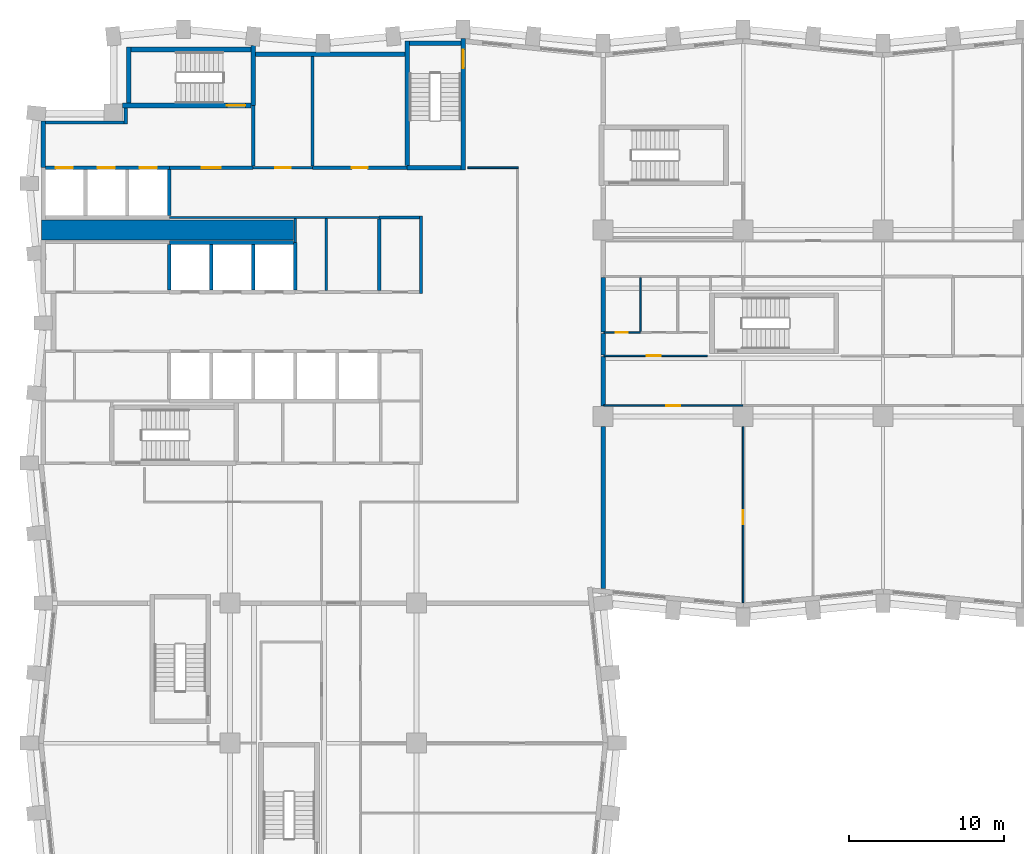
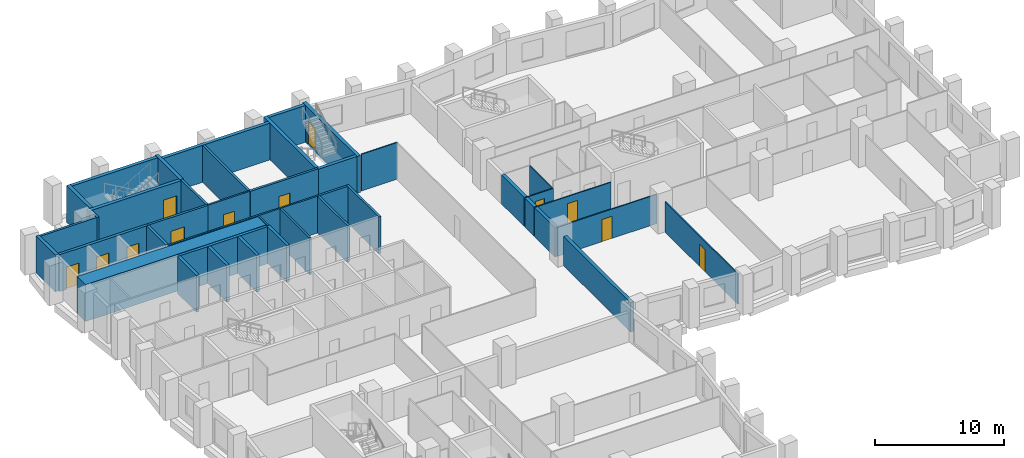
# One storey, part 6 of 11: 41 walls, 12 doors, 12 openings.
"""IFC4 building model written with IfcOpenShell, lengths in metres."""

from ifc_helpers import new_model, si_unit, direction, frame, frame_2d, origin, place, context, subcontext, project, spatial, rectangle, extrude, material, layer, layer_set, type_object, element, fill, save


model = new_model("IFC4")

# Units and contexts
model_context = context("Model", 3, precision=1e-05, world=origin(), true_north=direction((0.0, 1.0)))
body_context = subcontext(model_context, "Body", "Model", "MODEL_VIEW")
ifc_project = project(units=[si_unit("LENGTHUNIT", "METRE"), si_unit("AREAUNIT", "SQUARE_METRE"), si_unit("VOLUMEUNIT", "CUBIC_METRE"), si_unit("PLANEANGLEUNIT", "RADIAN"), si_unit("MASSUNIT", "GRAM", prefix="KILO")], contexts=[model_context])

# Site, building, storey
site_placement = place(None, origin())
site = spatial("IfcSite", under=ifc_project, at=site_placement, CompositionType="ELEMENT")
building_placement = place(site_placement, origin())
building = spatial("IfcBuilding", under=site, at=building_placement, Name="Brondeck Convention Tower", CompositionType="ELEMENT")
storey_placement = place(building_placement, frame((0.0, 0.0, 96.10009765625)))
storey = spatial("IfcBuildingStorey", under=building, at=storey_placement, Name="L22", CompositionType="ELEMENT", Elevation=96.10009765625)

# Walls
ifc_material_1 = material(Name="Concrete compartment wall C30/37", Category="concrete")
ifc_layer_1 = layer(ifc_material_1, 0.300048828125)
ifc_layer_set_1 = layer_set([ifc_layer_1], Name="Compartment wall 300")
wall_type_1 = type_object("IfcWallType", Name="Compartment wall 300", PredefinedType="PARTITIONING", material=ifc_layer_set_1)
wall_1_placement = place(storey_placement, frame((36.0, 27.924560546875, 0.0), z_axis=(0.0, 0.0, 1.0), x_axis=(0.0, 1.0, 0.0)))
element("IfcWall", 1, at=wall_1_placement, inside=storey, type_object=wall_type_1, Name="FLR-L22-W024", PredefinedType="PARTITIONING", context=body_context, shape_type="SweptSolid", body=[
    extrude(rectangle(XDim=10.42041015625, YDim=0.300048828125, at=frame_2d((5.210205078125, 0.0))), origin(), (0.0, 0.0, 1.0), 2.77978515625),
])
wall_2_placement = place(storey_placement, frame((36.0, 39.669921875, 0.0), z_axis=(0.0, 0.0, 1.0), x_axis=(0.0, 1.0, 0.0)))
element("IfcWall", 2, at=wall_2_placement, inside=storey, type_object=wall_type_1, Name="FLR-L22-W038", PredefinedType="PARTITIONING", context=body_context, shape_type="SweptSolid", body=[
    extrude(rectangle(XDim=3.18017578125, YDim=0.300048828125, at=frame_2d((1.590087890625, 0.0))), origin(), (0.0, 0.0, 1.0), 2.77978515625),
])
wall_3_placement = place(storey_placement, frame((36.0, 42.949951171875, 0.0), z_axis=(0.0, 0.0, 1.0), x_axis=(0.0, 1.0, 0.0)))
element("IfcWall", 3, at=wall_3_placement, inside=storey, type_object=wall_type_1, Name="FLR-L22-W045", PredefinedType="PARTITIONING", context=body_context, shape_type="SweptSolid", body=[
    extrude(rectangle(XDim=1.400146484375, YDim=0.300048828125, at=frame_2d((0.7001953125, 0.0))), origin(), (0.0, 0.0, 1.0), 2.77978515625),
])
wall_4_placement = place(storey_placement, frame((36.0, 44.449951171875, 0.0), z_axis=(0.0, 0.0, 1.0), x_axis=(0.0, 1.0, 0.0)))
element("IfcWall", 4, at=wall_4_placement, inside=storey, type_object=wall_type_1, Name="FLR-L22-W051", PredefinedType="PARTITIONING", context=body_context, shape_type="SweptSolid", body=[
    extrude(rectangle(XDim=3.5, YDim=0.300048828125, at=frame_2d((1.75, 0.0))), origin(), (0.0, 0.0, 1.0), 2.77978515625),
])
ifc_material_2 = material(Name="Concrete C70/85", Category="concrete")
ifc_layer_2 = layer(ifc_material_2, 0.199951171875)
ifc_layer_set_2 = layer_set([ifc_layer_2], Name="Core beam-seat wall 200 Concrete C70/85")
wall_type_2 = type_object("IfcWallType", Name="Core beam-seat wall 200 Concrete C70/85", PredefinedType="SHEAR", material=ifc_layer_set_2)
wall_5_placement = place(storey_placement, frame((24.300048828125, 46.89990234375, 0.0), z_axis=(0.0, 0.0, 1.0), x_axis=(0.0, 1.0, 0.0)))
element("IfcWall", 5, at=wall_5_placement, inside=storey, type_object=wall_type_2, Name="L22 core wall", PredefinedType="SHEAR", context=body_context, shape_type="SweptSolid", body=[
    extrude(rectangle(XDim=5.0, YDim=0.199951171875, at=frame_2d((2.5, 0.0))), origin(), (0.0, 0.0, 1.0), 3.5),
])
ifc_layer_3 = layer(ifc_material_2, 0.300048828125)
ifc_layer_set_3 = layer_set([ifc_layer_3], Name="Core outer wall 300 Concrete C70/85")
wall_type_3 = type_object("IfcWallType", Name="Core outer wall 300 Concrete C70/85", PredefinedType="SHEAR", material=ifc_layer_set_3)
wall_6_placement = place(storey_placement, frame((13.64990234375, 62.300048828125, 0.0), z_axis=(0.0, 0.0, 1.0), x_axis=(1.0, 0.0, 0.0)))
element("IfcWall", 6, at=wall_6_placement, inside=storey, type_object=wall_type_3, Name="L22 core wall", PredefinedType="SHEAR", context=body_context, shape_type="SweptSolid", body=[
    extrude(rectangle(XDim=9.60009765625, YDim=0.300048828125, at=frame_2d((4.800048828125, 0.0))), origin(), (0.0, 0.0, 1.0), 3.5),
])
wall_7_placement = place(storey_placement, frame((0.0, 55.0, 0.0), z_axis=(0.0, 0.0, 1.0), x_axis=(0.0, 1.0, 0.0)))
element("IfcWall", 7, at=wall_7_placement, inside=storey, type_object=wall_type_3, Name="L22 core wall", PredefinedType="SHEAR", context=body_context, shape_type="SweptSolid", body=[
    extrude(rectangle(XDim=3.0, YDim=0.300048828125, at=frame_2d((1.5, 0.0))), origin(), (0.0, 0.0, 1.0), 3.5),
])
ifc_material_3 = material(Name="Fire-rated gypsum board partition")
ifc_layer_4 = layer(ifc_material_3, 0.14990234375)
ifc_layer_set_4 = layer_set([ifc_layer_4], Name="Core partition 150 EI 60")
wall_type_4 = type_object("IfcWallType", Name="Core partition 150 EI 60", PredefinedType="PARTITIONING", material=ifc_layer_set_4)
wall_8_placement = place(storey_placement, frame((8.10009765625, 51.800048828125, 0.0), z_axis=(0.0, 0.0, 1.0), x_axis=(1.0, 0.0, 0.0)))
element("IfcWall", 8, at=wall_8_placement, inside=storey, type_object=wall_type_4, Name="L22 core wall", PredefinedType="PARTITIONING", context=body_context, shape_type="SweptSolid", body=[
    extrude(rectangle(XDim=13.5, YDim=0.14990234375, at=frame_2d((6.75, 0.0))), origin(), (0.0, 0.0, 1.0), 3.5),
])

# Wall, opening, door
wall_9_placement = place(storey_placement, frame((13.5, 55.0, 0.0), z_axis=(0.0, 0.0, 1.0), x_axis=(1.0, 0.0, 0.0)))
wall_9 = element("IfcWall", 9, at=wall_9_placement, inside=storey, type_object=wall_type_4, Name="L22 core wall", PredefinedType="PARTITIONING", context=body_context, shape_type="SweptSolid", body=[
    extrude(rectangle(XDim=3.800048828125, YDim=0.14990234375, at=frame_2d((1.89990234375, 0.0))), origin(), (0.0, 0.0, 1.0), 3.5),
])
opening_1_placement = place(wall_9_placement, frame((1.39990234375, 0.0, 0.0)))
opening_1 = element("IfcOpeningElement", 10, at=opening_1_placement, cuts=wall_9, Name="Opening C14-15", PredefinedType="OPENING", context=body_context, shape_type="SweptSolid", body=[
    extrude(rectangle(XDim=1.0, YDim=2.10009765625, at=frame_2d((0.5, 1.050048828125))), frame((0.0, 0.0849609375, 0.0), z_axis=(0.0, -1.0, 0.0), x_axis=(1.0, 0.0, 0.0)), (0.0, 0.0, 1.0), 0.169921875),
])
ifc_material_4 = material(Name="Steel fire door", Category="steel")
door_type_1 = type_object("IfcDoorType", Name="Room door 1000x2100 EI 60", OperationType="NOTDEFINED", PredefinedType="DOOR", material=ifc_material_4)
door_1_placement = place(opening_1_placement, origin())
door_1 = element("IfcDoor", 11, at=door_1_placement, inside=storey, type_object=door_type_1, Name="L22 Room door NE-1", OperationType="SINGLE_SWING_LEFT", OverallHeight=2.10009765625, OverallWidth=1.0, PredefinedType="DOOR", context=body_context, shape_type="SweptSolid", body=[
    extrude(rectangle(XDim=1.0, YDim=2.10009765625, at=frame_2d((0.5, 1.050048828125))), frame((0.0, 0.02490234375, 0.0), z_axis=(0.0, -1.0, 0.0), x_axis=(1.0, 0.0, 0.0)), (0.0, 0.0, 1.0), 0.050048828125),
])
fill(opening_1, door_1)

# Walls
wall_10_placement = place(storey_placement, frame((16.199951171875, 50.199951171875, 0.0), z_axis=(0.0, 0.0, 1.0), x_axis=(0.0, 1.0, 0.0)))
element("IfcWall", 12, at=wall_10_placement, inside=storey, type_object=wall_type_4, Name="L22 core wall", PredefinedType="PARTITIONING", context=body_context, shape_type="SweptSolid", body=[
    extrude(rectangle(XDim=1.525146484375, YDim=0.14990234375, at=frame_2d((0.7626953125, 0.0))), origin(), (0.0, 0.0, 1.0), 3.5),
])
wall_11_placement = place(storey_placement, frame((18.199951171875, 47.10009765625, 0.0), z_axis=(0.0, 0.0, 1.0), x_axis=(0.0, 1.0, 0.0)))
element("IfcWall", 13, at=wall_11_placement, inside=storey, type_object=wall_type_4, Name="L22 core wall", PredefinedType="PARTITIONING", context=body_context, shape_type="SweptSolid", body=[
    extrude(rectangle(XDim=4.625, YDim=0.14990234375, at=frame_2d((2.3125, 0.0))), origin(), (0.0, 0.0, 1.0), 3.5),
])
ifc_layer_5 = layer(ifc_material_2, 1.300048828125)
ifc_layer_set_5 = layer_set([ifc_layer_5], Name="Core shear wall 1300 Concrete C70/85")
wall_type_5 = type_object("IfcWallType", Name="Core shear wall 1300 Concrete C70/85", PredefinedType="SHEAR", material=ifc_layer_set_5)
wall_12_placement = place(storey_placement, frame((-0.125, 51.0, 0.0), z_axis=(0.0, 0.0, 1.0), x_axis=(1.0, 0.0, 0.0)))
element("IfcWall", 14, at=wall_12_placement, inside=storey, type_object=wall_type_5, Name="L22 core wall", PredefinedType="SHEAR", context=body_context, shape_type="SweptSolid", body=[
    extrude(rectangle(XDim=16.22509765625, YDim=1.300048828125, at=frame_2d((8.112548828125, 0.0))), origin(), (0.0, 0.0, 1.0), 3.5),
])

# Wall, opening, door
ifc_layer_6 = layer(ifc_material_3, 0.199951171875)
ifc_layer_set_6 = layer_set([ifc_layer_6], Name="Firefighting lobby wall 200 EI 120")
wall_type_6 = type_object("IfcWallType", Name="Firefighting lobby wall 200 EI 120", PredefinedType="PARTITIONING", material=ifc_layer_set_6)
wall_13_placement = place(storey_placement, frame((8.10009765625, 55.0, 0.0), z_axis=(0.0, 0.0, 1.0), x_axis=(1.0, 0.0, 0.0)))
wall_13 = element("IfcWall", 15, at=wall_13_placement, inside=storey, type_object=wall_type_6, Name="L22 core wall", PredefinedType="PARTITIONING", context=body_context, shape_type="SweptSolid", body=[
    extrude(rectangle(XDim=5.39990234375, YDim=0.199951171875, at=frame_2d((2.699951171875, 0.0))), origin(), (0.0, 0.0, 1.0), 3.5),
])
opening_2_placement = place(wall_13_placement, frame((2.10009765625, 0.0, 0.0)))
opening_2 = element("IfcOpeningElement", 16, at=opening_2_placement, cuts=wall_13, Name="Opening C14-01", PredefinedType="OPENING", context=body_context, shape_type="SweptSolid", body=[
    extrude(rectangle(XDim=1.199951171875, YDim=2.199951171875, at=frame_2d((0.60009765625, 1.10009765625))), frame((0.0, 0.10986328125, 0.0), z_axis=(0.0, -1.0, 0.0), x_axis=(1.0, 0.0, 0.0)), (0.0, 0.0, 1.0), 0.219970703125),
])
door_type_2 = type_object("IfcDoorType", Name="Firefighting lobby door 1200x2200 EI 120", OperationType="NOTDEFINED", PredefinedType="DOOR", material=ifc_material_4)
door_2_placement = place(opening_2_placement, origin())
door_2 = element("IfcDoor", 17, at=door_2_placement, inside=storey, type_object=door_type_2, Name="L22 Firefighting lobby door FFL-1", OperationType="SINGLE_SWING_RIGHT", OverallHeight=2.199951171875, OverallWidth=1.199951171875, PredefinedType="DOOR", context=body_context, shape_type="SweptSolid", body=[
    extrude(rectangle(XDim=1.199951171875, YDim=2.199951171875, at=frame_2d((0.60009765625, 1.10009765625))), frame((0.0, 0.02490234375, 0.0), z_axis=(0.0, -1.0, 0.0), x_axis=(1.0, 0.0, 0.0)), (0.0, 0.0, 1.0), 0.050048828125),
])
fill(opening_2, door_2)

# Walls
wall_14_placement = place(storey_placement, frame((0.14990234375, 57.89990234375, 0.0), z_axis=(0.0, 0.0, 1.0), x_axis=(1.0, 0.0, 0.0)))
element("IfcWall", 18, at=wall_14_placement, inside=storey, type_object=wall_type_6, Name="L22 core wall", PredefinedType="PARTITIONING", context=body_context, shape_type="SweptSolid", body=[
    extrude(rectangle(XDim=5.050048828125, YDim=0.199951171875, at=frame_2d((2.52490234375, 0.0))), origin(), (0.0, 0.0, 1.0), 3.5),
])
wall_15_placement = place(storey_placement, frame((5.300048828125, 57.800048828125, 0.0), z_axis=(0.0, 0.0, 1.0), x_axis=(0.0, 1.0, 0.0)))
element("IfcWall", 19, at=wall_15_placement, inside=storey, type_object=wall_type_6, Name="L22 core wall", PredefinedType="PARTITIONING", context=body_context, shape_type="SweptSolid", body=[
    extrude(rectangle(XDim=1.050048828125, YDim=0.199951171875, at=frame_2d((0.52490234375, 0.0))), origin(), (0.0, 0.0, 1.0), 3.5),
])
wall_16_placement = place(storey_placement, frame((13.5, 55.10009765625, 0.0), z_axis=(0.0, 0.0, 1.0), x_axis=(0.0, 1.0, 0.0)))
element("IfcWall", 20, at=wall_16_placement, inside=storey, type_object=wall_type_6, Name="L22 core wall", PredefinedType="PARTITIONING", context=body_context, shape_type="SweptSolid", body=[
    extrude(rectangle(XDim=3.89990234375, YDim=0.199951171875, at=frame_2d((1.949951171875, 0.0))), origin(), (0.0, 0.0, 1.0), 3.5),
])
ifc_layer_7 = layer(ifc_material_2, 0.25)
ifc_layer_set_7 = layer_set([ifc_layer_7], Name="Lift shaft wall 250 Concrete C70/85")
wall_type_7 = type_object("IfcWallType", Name="Lift shaft wall 250 Concrete C70/85", PredefinedType="SHEAR", material=ifc_layer_set_7)
wall_17_placement = place(storey_placement, frame((8.10009765625, 50.199951171875, 0.0), z_axis=(0.0, 0.0, 1.0), x_axis=(1.0, 0.0, 0.0)))
element("IfcWall", 21, at=wall_17_placement, inside=storey, type_object=wall_type_7, Name="L22 core wall", PredefinedType="SHEAR", context=body_context, shape_type="SweptSolid", body=[
    extrude(rectangle(XDim=7.974853515625, YDim=0.25, at=frame_2d((3.9873046875, 0.0))), origin(), (0.0, 0.0, 1.0), 3.5),
])

# Wall, openings, doors
wall_18_placement = place(storey_placement, frame((0.14990234375, 55.0, 0.0), z_axis=(0.0, 0.0, 1.0), x_axis=(1.0, 0.0, 0.0)))
wall_18 = element("IfcWall", 22, at=wall_18_placement, inside=storey, type_object=wall_type_7, Name="L22 core wall", PredefinedType="SHEAR", context=body_context, shape_type="SweptSolid", body=[
    extrude(rectangle(XDim=7.9501953125, YDim=0.25, at=frame_2d((3.97509765625, 0.0))), origin(), (0.0, 0.0, 1.0), 3.5),
])
opening_3_placement = place(wall_18_placement, frame((0.64990234375, 0.0, 0.0)))
opening_3 = element("IfcOpeningElement", 23, at=opening_3_placement, cuts=wall_18, Name="Opening C14-24", PredefinedType="OPENING", context=body_context, shape_type="SweptSolid", body=[
    extrude(rectangle(XDim=1.10009765625, YDim=2.10009765625, at=frame_2d((0.550048828125, 1.050048828125))), frame((0.0, 0.135009765625, 0.0), z_axis=(0.0, -1.0, 0.0), x_axis=(1.0, 0.0, 0.0)), (0.0, 0.0, 1.0), 0.27001953125),
])
opening_4_placement = place(wall_18_placement, frame((3.35009765625, 0.0, 0.0)))
opening_4 = element("IfcOpeningElement", 24, at=opening_4_placement, cuts=wall_18, Name="Opening C14-25", PredefinedType="OPENING", context=body_context, shape_type="SweptSolid", body=[
    extrude(rectangle(XDim=1.10009765625, YDim=2.10009765625, at=frame_2d((0.550048828125, 1.050048828125))), frame((0.0, 0.135009765625, 0.0), z_axis=(0.0, -1.0, 0.0), x_axis=(1.0, 0.0, 0.0)), (0.0, 0.0, 1.0), 0.27001953125),
])
opening_5_placement = place(wall_18_placement, frame((6.050048828125, 0.0, 0.0)))
opening_5 = element("IfcOpeningElement", 25, at=opening_5_placement, cuts=wall_18, Name="Opening C14-26", PredefinedType="OPENING", context=body_context, shape_type="SweptSolid", body=[
    extrude(rectangle(XDim=1.10009765625, YDim=2.10009765625, at=frame_2d((0.550048828125, 1.050048828125))), frame((0.0, 0.135009765625, 0.0), z_axis=(0.0, -1.0, 0.0), x_axis=(1.0, 0.0, 0.0)), (0.0, 0.0, 1.0), 0.27001953125),
])
ifc_material_5 = material(Name="Stainless steel lift door", Category="steel")
door_type_3 = type_object("IfcDoorType", Name="Lift landing door 1100x2100 EI 180", OperationType="DOUBLE_DOOR_SLIDING", PredefinedType="DOOR", material=ifc_material_5)
door_3_placement = place(opening_3_placement, origin())
door_3 = element("IfcDoor", 26, at=door_3_placement, inside=storey, type_object=door_type_3, Name="L22 Lift landing door FF1", OperationType="DOUBLE_DOOR_SLIDING", OverallHeight=2.10009765625, OverallWidth=1.10009765625, PredefinedType="DOOR", context=body_context, shape_type="SweptSolid", body=[
    extrude(rectangle(XDim=1.10009765625, YDim=2.10009765625, at=frame_2d((0.550048828125, 1.050048828125))), frame((0.0, 0.02490234375, 0.0), z_axis=(0.0, -1.0, 0.0), x_axis=(1.0, 0.0, 0.0)), (0.0, 0.0, 1.0), 0.050048828125),
])
fill(opening_3, door_3)
door_4_placement = place(opening_4_placement, origin())
door_4 = element("IfcDoor", 27, at=door_4_placement, inside=storey, type_object=door_type_3, Name="L22 Lift landing door FF2", OperationType="DOUBLE_DOOR_SLIDING", OverallHeight=2.10009765625, OverallWidth=1.10009765625, PredefinedType="DOOR", context=body_context, shape_type="SweptSolid", body=[
    extrude(rectangle(XDim=1.10009765625, YDim=2.10009765625, at=frame_2d((0.550048828125, 1.050048828125))), frame((0.0, 0.02490234375, 0.0), z_axis=(0.0, -1.0, 0.0), x_axis=(1.0, 0.0, 0.0)), (0.0, 0.0, 1.0), 0.050048828125),
])
fill(opening_4, door_4)
door_5_placement = place(opening_5_placement, origin())
door_5 = element("IfcDoor", 28, at=door_5_placement, inside=storey, type_object=door_type_3, Name="L22 Lift landing door FF3", OperationType="DOUBLE_DOOR_SLIDING", OverallHeight=2.10009765625, OverallWidth=1.10009765625, PredefinedType="DOOR", context=body_context, shape_type="SweptSolid", body=[
    extrude(rectangle(XDim=1.10009765625, YDim=2.10009765625, at=frame_2d((0.550048828125, 1.050048828125))), frame((0.0, 0.02490234375, 0.0), z_axis=(0.0, -1.0, 0.0), x_axis=(1.0, 0.0, 0.0)), (0.0, 0.0, 1.0), 0.050048828125),
])
fill(opening_5, door_5)

# Walls
for number, where, z_axis, x_axis, name in (
    (29, (8.10009765625, 47.125, 0.0), (0.0, 0.0, 1.0), (0.0, 1.0, 0.0), "L22 core wall"),
    (30, (8.10009765625, 51.925048828125, 0.0), (0.0, 0.0, 1.0), (0.0, 1.0, 0.0), "L22 core wall"),
    (31, (10.800048828125, 47.125, 0.0), (0.0, 0.0, 1.0), (0.0, 1.0, 0.0), "L22 core wall"),
    (32, (13.5, 47.125, 0.0), (0.0, 0.0, 1.0), (0.0, 1.0, 0.0), "L22 core wall"),
):
    element("IfcWall", number, at=place(storey_placement, frame(where, z_axis=z_axis, x_axis=x_axis)), inside=storey, type_object=wall_type_7, Name=name, PredefinedType="SHEAR", context=body_context, shape_type="SweptSolid", body=[
        extrude(rectangle(XDim=2.949951171875, YDim=0.25, at=frame_2d((1.47509765625, 0.0))), origin(), (0.0, 0.0, 1.0), 3.5),
    ])
wall_19_placement = place(storey_placement, frame((16.199951171875, 47.125, 0.0), z_axis=(0.0, 0.0, 1.0), x_axis=(0.0, 1.0, 0.0)))
element("IfcWall", 33, at=wall_19_placement, inside=storey, type_object=wall_type_7, Name="L22 core wall", PredefinedType="SHEAR", context=body_context, shape_type="SweptSolid", body=[
    extrude(rectangle(XDim=3.074951171875, YDim=0.25, at=frame_2d((1.53759765625, 0.0))), origin(), (0.0, 0.0, 1.0), 3.5),
])
ifc_layer_8 = layer(ifc_material_3, 0.199951171875)
ifc_layer_set_8 = layer_set([ifc_layer_8], Name="Riser wall 200 EI 120")
wall_type_8 = type_object("IfcWallType", Name="Riser wall 200 EI 120", PredefinedType="PARTITIONING", material=ifc_layer_set_8)
wall_20_placement = place(storey_placement, frame((21.60009765625, 51.800048828125, 0.0), z_axis=(0.0, 0.0, 1.0), x_axis=(1.0, 0.0, 0.0)))
element("IfcWall", 34, at=wall_20_placement, inside=storey, type_object=wall_type_8, Name="L22 core wall", PredefinedType="PARTITIONING", context=body_context, shape_type="SweptSolid", body=[
    extrude(rectangle(XDim=2.599853515625, YDim=0.199951171875, at=frame_2d((1.2998046875, 0.0))), origin(), (0.0, 0.0, 1.0), 3.5),
])

# Wall, opening, door
wall_21_placement = place(storey_placement, frame((17.300048828125, 55.0, 0.0), z_axis=(0.0, 0.0, 1.0), x_axis=(1.0, 0.0, 0.0)))
wall_21 = element("IfcWall", 35, at=wall_21_placement, inside=storey, type_object=wall_type_8, Name="L22 core wall", PredefinedType="PARTITIONING", context=body_context, shape_type="SweptSolid", body=[
    extrude(rectangle(XDim=6.099853515625, YDim=0.199951171875, at=frame_2d((3.0498046875, 0.0))), origin(), (0.0, 0.0, 1.0), 3.5),
])
opening_6_placement = place(wall_21_placement, frame((2.550048828125, 0.0, 0.0)))
opening_6 = element("IfcOpeningElement", 36, at=opening_6_placement, cuts=wall_21, Name="Opening C14-16", PredefinedType="OPENING", context=body_context, shape_type="SweptSolid", body=[
    extrude(rectangle(XDim=1.0, YDim=2.10009765625, at=frame_2d((0.5, 1.050048828125))), frame((0.0, 0.10986328125, 0.0), z_axis=(0.0, -1.0, 0.0), x_axis=(1.0, 0.0, 0.0)), (0.0, 0.0, 1.0), 0.219970703125),
])
door_type_4 = type_object("IfcDoorType", Name="Riser door 1000x2100 EI 120", OperationType="NOTDEFINED", PredefinedType="DOOR", material=ifc_material_4)
door_6_placement = place(opening_6_placement, origin())
door_6 = element("IfcDoor", 37, at=door_6_placement, inside=storey, type_object=door_type_4, Name="L22 Riser door NE-2", OperationType="SINGLE_SWING_RIGHT", OverallHeight=2.10009765625, OverallWidth=1.0, PredefinedType="DOOR", context=body_context, shape_type="SweptSolid", body=[
    extrude(rectangle(XDim=1.0, YDim=2.10009765625, at=frame_2d((0.5, 1.050048828125))), frame((0.0, 0.02490234375, 0.0), z_axis=(0.0, -1.0, 0.0), x_axis=(1.0, 0.0, 0.0)), (0.0, 0.0, 1.0), 0.050048828125),
])
fill(opening_6, door_6)

# Walls
wall_22_placement = place(storey_placement, frame((17.300048828125, 55.10009765625, 0.0), z_axis=(0.0, 0.0, 1.0), x_axis=(0.0, 1.0, 0.0)))
element("IfcWall", 38, at=wall_22_placement, inside=storey, type_object=wall_type_8, Name="L22 core wall", PredefinedType="PARTITIONING", context=body_context, shape_type="SweptSolid", body=[
    extrude(rectangle(XDim=7.0498046875, YDim=0.199951171875, at=frame_2d((3.52490234375, 0.0))), origin(), (0.0, 0.0, 1.0), 3.5),
])
wall_23_placement = place(storey_placement, frame((21.60009765625, 47.10009765625, 0.0), z_axis=(0.0, 0.0, 1.0), x_axis=(0.0, 1.0, 0.0)))
element("IfcWall", 39, at=wall_23_placement, inside=storey, type_object=wall_type_8, Name="L22 core wall", PredefinedType="PARTITIONING", context=body_context, shape_type="SweptSolid", body=[
    extrude(rectangle(XDim=4.599853515625, YDim=0.199951171875, at=frame_2d((2.2998046875, 0.0))), origin(), (0.0, 0.0, 1.0), 3.5),
])

# Wall, opening, door
ifc_material_6 = material(Name="Gypsum board partition on steel studs", Category="steel")
ifc_layer_9 = layer(ifc_material_6, 0.10009765625)
ifc_layer_set_9 = layer_set([ifc_layer_9], Name="Room partition 100")
wall_type_9 = type_object("IfcWallType", Name="Room partition 100", PredefinedType="PARTITIONING", material=ifc_layer_set_9)
wall_24_placement = place(storey_placement, frame((45.0, 38.344970703125, 0.0), z_axis=(0.0, 0.0, 1.0), x_axis=(0.0, -1.0, 0.0)))
wall_24 = element("IfcWall", 40, at=wall_24_placement, inside=storey, type_object=wall_type_9, Name="FLR-L22-W029", PredefinedType="PARTITIONING", context=body_context, shape_type="SweptSolid", body=[
    extrude(rectangle(XDim=11.320556640625, YDim=0.10009765625, at=frame_2d((5.66015625, 0.0))), origin(), (0.0, 0.0, 1.0), 2.8798828125),
])
opening_7_placement = place(wall_24_placement, frame((5.3701171875, 0.0, 0.0)))
opening_7 = element("IfcOpeningElement", 41, at=opening_7_placement, cuts=wall_24, Name="Opening OF-A-011", PredefinedType="OPENING", context=body_context, shape_type="SweptSolid", body=[
    extrude(rectangle(XDim=0.89990234375, YDim=2.10009765625, at=frame_2d((0.449951171875, 1.050048828125))), frame((0.0, 0.06005859375, 0.0), z_axis=(0.0, -1.0, 0.0), x_axis=(1.0, 0.0, 0.0)), (0.0, 0.0, 1.0), 0.1201171875),
])
ifc_material_7 = material(Name="Solid timber door leaf", Category="wood")
door_type_5 = type_object("IfcDoorType", Name="Single door 900", OperationType="NOTDEFINED", PredefinedType="DOOR", material=ifc_material_7)
door_7_placement = place(opening_7_placement, origin())
door_7 = element("IfcDoor", 42, at=door_7_placement, inside=storey, type_object=door_type_5, Name="Door OF-A-011", OperationType="SINGLE_SWING_LEFT", OverallHeight=2.10009765625, OverallWidth=0.89990234375, PredefinedType="DOOR", context=body_context, shape_type="SweptSolid", body=[
    extrude(rectangle(XDim=0.89990234375, YDim=2.10009765625, at=frame_2d((0.449951171875, 1.050048828125))), frame((0.0, 0.02490234375, 0.0), z_axis=(0.0, -1.0, 0.0), x_axis=(1.0, 0.0, 0.0)), (0.0, 0.0, 1.0), 0.050048828125),
])
fill(opening_7, door_7)

wall_25_placement = place(storey_placement, frame((45.0, 39.699951171875, 0.0), z_axis=(0.0, 0.0, 1.0), x_axis=(-1.0, 0.0, 0.0)))
wall_25 = element("IfcWall", 43, at=wall_25_placement, inside=storey, type_object=wall_type_9, Name="FLR-L22-W033", PredefinedType="PARTITIONING", context=body_context, shape_type="SweptSolid", body=[
    extrude(rectangle(XDim=8.949951171875, YDim=0.10009765625, at=frame_2d((4.47509765625, 0.0))), origin(), (0.0, 0.0, 1.0), 2.77978515625),
])
opening_8_placement = place(wall_25_placement, frame((4.050048828125, 0.0, 0.0)))
opening_8 = element("IfcOpeningElement", 44, at=opening_8_placement, cuts=wall_25, Name="Opening OF-A-010", PredefinedType="OPENING", context=body_context, shape_type="SweptSolid", body=[
    extrude(rectangle(XDim=0.89990234375, YDim=2.10009765625, at=frame_2d((0.449951171875, 1.050048828125))), frame((0.0, 0.06005859375, 0.0), z_axis=(0.0, -1.0, 0.0), x_axis=(1.0, 0.0, 0.0)), (0.0, 0.0, 1.0), 0.1201171875),
])
door_8_placement = place(opening_8_placement, origin())
door_8 = element("IfcDoor", 45, at=door_8_placement, inside=storey, type_object=door_type_5, Name="Door OF-A-010", OperationType="SINGLE_SWING_LEFT", OverallHeight=2.10009765625, OverallWidth=0.89990234375, PredefinedType="DOOR", context=body_context, shape_type="SweptSolid", body=[
    extrude(rectangle(XDim=0.89990234375, YDim=2.10009765625, at=frame_2d((0.449951171875, 1.050048828125))), frame((0.0, 0.02490234375, 0.0), z_axis=(0.0, -1.0, 0.0), x_axis=(1.0, 0.0, 0.0)), (0.0, 0.0, 1.0), 0.050048828125),
])
fill(opening_8, door_8)

wall_26_placement = place(storey_placement, frame((36.050048828125, 42.89990234375, 0.0), z_axis=(0.0, 0.0, 1.0), x_axis=(1.0, 0.0, 0.0)))
wall_26 = element("IfcWall", 46, at=wall_26_placement, inside=storey, type_object=wall_type_9, Name="FLR-L22-W039", PredefinedType="PARTITIONING", context=body_context, shape_type="SweptSolid", body=[
    extrude(rectangle(XDim=6.64990234375, YDim=0.10009765625, at=frame_2d((3.324951171875, 0.0))), origin(), (0.0, 0.0, 1.0), 2.77978515625),
])
opening_9_placement = place(wall_26_placement, frame((2.75, 0.0, 0.0)))
opening_9 = element("IfcOpeningElement", 47, at=opening_9_placement, cuts=wall_26, Name="Opening OF-A-002", PredefinedType="OPENING", context=body_context, shape_type="SweptSolid", body=[
    extrude(rectangle(XDim=0.89990234375, YDim=2.10009765625, at=frame_2d((0.449951171875, 1.050048828125))), frame((0.0, 0.06005859375, 0.0), z_axis=(0.0, -1.0, 0.0), x_axis=(1.0, 0.0, 0.0)), (0.0, 0.0, 1.0), 0.1201171875),
])
door_9_placement = place(opening_9_placement, origin())
door_9 = element("IfcDoor", 48, at=door_9_placement, inside=storey, type_object=door_type_5, Name="Door OF-A-002", OperationType="SINGLE_SWING_LEFT", OverallHeight=2.10009765625, OverallWidth=0.89990234375, PredefinedType="DOOR", context=body_context, shape_type="SweptSolid", body=[
    extrude(rectangle(XDim=0.89990234375, YDim=2.10009765625, at=frame_2d((0.449951171875, 1.050048828125))), frame((0.0, 0.02490234375, 0.0), z_axis=(0.0, -1.0, 0.0), x_axis=(1.0, 0.0, 0.0)), (0.0, 0.0, 1.0), 0.050048828125),
])
fill(opening_9, door_9)

wall_27_placement = place(storey_placement, frame((36.050048828125, 44.39990234375, 0.0), z_axis=(0.0, 0.0, 1.0), x_axis=(1.0, 0.0, 0.0)))
wall_27 = element("IfcWall", 49, at=wall_27_placement, inside=storey, type_object=wall_type_9, Name="FLR-L22-W048", PredefinedType="PARTITIONING", context=body_context, shape_type="SweptSolid", body=[
    extrude(rectangle(XDim=2.349853515625, YDim=0.10009765625, at=frame_2d((1.1748046875, 0.0))), origin(), (0.0, 0.0, 1.0), 2.77978515625),
])
opening_10_placement = place(wall_27_placement, frame((0.75, 0.0, 0.0)))
opening_10 = element("IfcOpeningElement", 50, at=opening_10_placement, cuts=wall_27, Name="Opening OF-A-003", PredefinedType="OPENING", context=body_context, shape_type="SweptSolid", body=[
    extrude(rectangle(XDim=0.800048828125, YDim=2.10009765625, at=frame_2d((0.39990234375, 1.050048828125))), frame((0.0, 0.06005859375, 0.0), z_axis=(0.0, -1.0, 0.0), x_axis=(1.0, 0.0, 0.0)), (0.0, 0.0, 1.0), 0.1201171875),
])
door_type_6 = type_object("IfcDoorType", Name="En-suite door 800", OperationType="NOTDEFINED", PredefinedType="DOOR", material=ifc_material_7)
door_10_placement = place(opening_10_placement, origin())
door_10 = element("IfcDoor", 51, at=door_10_placement, inside=storey, type_object=door_type_6, Name="Door OF-A-003", OperationType="SINGLE_SWING_LEFT", OverallHeight=2.10009765625, OverallWidth=0.800048828125, PredefinedType="DOOR", context=body_context, shape_type="SweptSolid", body=[
    extrude(rectangle(XDim=0.800048828125, YDim=2.10009765625, at=frame_2d((0.39990234375, 1.050048828125))), frame((0.0, 0.02490234375, 0.0), z_axis=(0.0, -1.0, 0.0), x_axis=(1.0, 0.0, 0.0)), (0.0, 0.0, 1.0), 0.050048828125),
])
fill(opening_10, door_10)

# Walls
wall_28_placement = place(storey_placement, frame((38.39990234375, 47.949951171875, 0.0), z_axis=(0.0, 0.0, 1.0), x_axis=(0.0, -1.0, 0.0)))
element("IfcWall", 52, at=wall_28_placement, inside=storey, type_object=wall_type_9, Name="FLR-L22-W053", PredefinedType="PARTITIONING", context=body_context, shape_type="SweptSolid", body=[
    extrude(rectangle(XDim=3.5, YDim=0.10009765625, at=frame_2d((1.75, 0.0))), origin(), (0.0, 0.0, 1.0), 2.77978515625),
])
wall_29_placement = place(storey_placement, frame((27.300048828125, 55.0, 0.0), z_axis=(0.0, 0.0, 1.0), x_axis=(1.0, 0.0, 0.0)))
element("IfcWall", 53, at=wall_29_placement, inside=storey, type_object=wall_type_9, Name="FLR-L22-W078", PredefinedType="PARTITIONING", context=body_context, shape_type="SweptSolid", body=[
    extrude(rectangle(XDim=3.25, YDim=0.10009765625, at=frame_2d((1.625, 0.0))), origin(), (0.0, 0.0, 1.0), 3.47998046875),
])
ifc_layer_10 = layer(ifc_material_2, 0.300048828125)
ifc_layer_set_10 = layer_set([ifc_layer_10], Name="Stair enclosure wall 300 Concrete C70/85")
wall_type_10 = type_object("IfcWallType", Name="Stair enclosure wall 300 Concrete C70/85", PredefinedType="SHEAR", material=ifc_layer_set_10)
wall_30_placement = place(storey_placement, frame((23.39990234375, 55.0, 0.0), z_axis=(0.0, 0.0, 1.0), x_axis=(1.0, 0.0, 0.0)))
element("IfcWall", 54, at=wall_30_placement, inside=storey, type_object=wall_type_10, Name="L22 core wall", PredefinedType="SHEAR", context=body_context, shape_type="SweptSolid", body=[
    extrude(rectangle(XDim=3.4501953125, YDim=0.300048828125, at=frame_2d((1.72509765625, 0.0))), origin(), (0.0, 0.0, 1.0), 3.5),
])

# Wall, opening, door
wall_31_placement = place(storey_placement, frame((5.10009765625, 59.0, 0.0), z_axis=(0.0, 0.0, 1.0), x_axis=(1.0, 0.0, 0.0)))
wall_31 = element("IfcWall", 55, at=wall_31_placement, inside=storey, type_object=wall_type_10, Name="L22 core wall", PredefinedType="SHEAR", context=body_context, shape_type="SweptSolid", body=[
    extrude(rectangle(XDim=8.25, YDim=0.300048828125, at=frame_2d((4.125, 0.0))), origin(), (0.0, 0.0, 1.0), 3.5),
])
opening_11_placement = place(wall_31_placement, frame((6.699951171875, 0.0, 0.0)))
opening_11 = element("IfcOpeningElement", 56, at=opening_11_placement, cuts=wall_31, Name="Opening C14-19", PredefinedType="OPENING", context=body_context, shape_type="SweptSolid", body=[
    extrude(rectangle(XDim=1.199951171875, YDim=2.199951171875, at=frame_2d((0.60009765625, 1.10009765625))), frame((0.0, 0.159912109375, 0.0), z_axis=(0.0, -1.0, 0.0), x_axis=(1.0, 0.0, 0.0)), (0.0, 0.0, 1.0), 0.320068359375),
])
door_type_7 = type_object("IfcDoorType", Name="Stair door 1200x2200 EI 120", OperationType="NOTDEFINED", PredefinedType="DOOR", material=ifc_material_4)
door_11_placement = place(opening_11_placement, origin())
door_11 = element("IfcDoor", 57, at=door_11_placement, inside=storey, type_object=door_type_7, Name="L22 Stair door ST-3", OperationType="SINGLE_SWING_RIGHT", OverallHeight=2.199951171875, OverallWidth=1.199951171875, PredefinedType="DOOR", context=body_context, shape_type="SweptSolid", body=[
    extrude(rectangle(XDim=1.199951171875, YDim=2.199951171875, at=frame_2d((0.60009765625, 1.10009765625))), frame((0.0, 0.02490234375, 0.0), z_axis=(0.0, -1.0, 0.0), x_axis=(1.0, 0.0, 0.0)), (0.0, 0.0, 1.0), 0.050048828125),
])
fill(opening_11, door_11)

# Walls
wall_32_placement = place(storey_placement, frame((5.64990234375, 62.60009765625, 0.0), z_axis=(0.0, 0.0, 1.0), x_axis=(1.0, 0.0, 0.0)))
element("IfcWall", 58, at=wall_32_placement, inside=storey, type_object=wall_type_10, Name="L22 core wall", PredefinedType="SHEAR", context=body_context, shape_type="SweptSolid", body=[
    extrude(rectangle(XDim=7.7001953125, YDim=0.300048828125, at=frame_2d((3.85009765625, 0.0))), origin(), (0.0, 0.0, 1.0), 3.5),
])
wall_33_placement = place(storey_placement, frame((23.550048828125, 63.0, 0.0), z_axis=(0.0, 0.0, 1.0), x_axis=(1.0, 0.0, 0.0)))
element("IfcWall", 59, at=wall_33_placement, inside=storey, type_object=wall_type_10, Name="L22 core wall", PredefinedType="SHEAR", context=body_context, shape_type="SweptSolid", body=[
    extrude(rectangle(XDim=3.300048828125, YDim=0.300048828125, at=frame_2d((1.64990234375, 0.0))), origin(), (0.0, 0.0, 1.0), 3.5),
])
wall_34_placement = place(storey_placement, frame((5.5, 59.14990234375, 0.0), z_axis=(0.0, 0.0, 1.0), x_axis=(0.0, 1.0, 0.0)))
element("IfcWall", 60, at=wall_34_placement, inside=storey, type_object=wall_type_10, Name="L22 core wall", PredefinedType="SHEAR", context=body_context, shape_type="SweptSolid", body=[
    extrude(rectangle(XDim=3.60009765625, YDim=0.300048828125, at=frame_2d((1.800048828125, 0.0))), origin(), (0.0, 0.0, 1.0), 3.5),
])
wall_35_placement = place(storey_placement, frame((13.5, 59.0, 0.0), z_axis=(0.0, 0.0, 1.0), x_axis=(0.0, 1.0, 0.0)))
element("IfcWall", 61, at=wall_35_placement, inside=storey, type_object=wall_type_10, Name="L22 core wall", PredefinedType="SHEAR", context=body_context, shape_type="SweptSolid", body=[
    extrude(rectangle(XDim=3.846923828125, YDim=0.300048828125, at=frame_2d((1.92333984375, 0.0))), origin(), (0.0, 0.0, 1.0), 3.5),
])
wall_36_placement = place(storey_placement, frame((23.39990234375, 55.14990234375, 0.0), z_axis=(0.0, 0.0, 1.0), x_axis=(0.0, 1.0, 0.0)))
element("IfcWall", 62, at=wall_36_placement, inside=storey, type_object=wall_type_10, Name="L22 core wall", PredefinedType="SHEAR", context=body_context, shape_type="SweptSolid", body=[
    extrude(rectangle(XDim=8.0, YDim=0.300048828125, at=frame_2d((4.0, 0.0))), origin(), (0.0, 0.0, 1.0), 3.5),
])

# Wall, opening, door
wall_37_placement = place(storey_placement, frame((27.0, 54.85009765625, 0.0), z_axis=(0.0, 0.0, 1.0), x_axis=(0.0, 1.0, 0.0)))
wall_37 = element("IfcWall", 63, at=wall_37_placement, inside=storey, type_object=wall_type_10, Name="L22 core wall", PredefinedType="SHEAR", context=body_context, shape_type="SweptSolid", body=[
    extrude(rectangle(XDim=8.449951171875, YDim=0.300048828125, at=frame_2d((4.22509765625, 0.0))), origin(), (0.0, 0.0, 1.0), 3.5),
])
opening_12_placement = place(wall_37_placement, frame((6.550048828125, 0.0, 0.0)))
opening_12 = element("IfcOpeningElement", 64, at=opening_12_placement, cuts=wall_37, Name="Opening C14-18", PredefinedType="OPENING", context=body_context, shape_type="SweptSolid", body=[
    extrude(rectangle(XDim=1.199951171875, YDim=2.199951171875, at=frame_2d((0.60009765625, 1.10009765625))), frame((0.0, 0.159912109375, 0.0), z_axis=(0.0, -1.0, 0.0), x_axis=(1.0, 0.0, 0.0)), (0.0, 0.0, 1.0), 0.320068359375),
])
door_type_8 = type_object("IfcDoorType", Name="Stair door 1200x2200 EI 90", OperationType="NOTDEFINED", PredefinedType="DOOR", material=ifc_material_4)
door_12_placement = place(opening_12_placement, origin())
door_12 = element("IfcDoor", 65, at=door_12_placement, inside=storey, type_object=door_type_8, Name="L22 Stair door ST-2", OperationType="SINGLE_SWING_LEFT", OverallHeight=2.199951171875, OverallWidth=1.199951171875, PredefinedType="DOOR", context=body_context, shape_type="SweptSolid", body=[
    extrude(rectangle(XDim=1.199951171875, YDim=2.199951171875, at=frame_2d((0.60009765625, 1.10009765625))), frame((0.0, 0.02490234375, 0.0), z_axis=(0.0, -1.0, 0.0), x_axis=(1.0, 0.0, 0.0)), (0.0, 0.0, 1.0), 0.050048828125),
])
fill(opening_12, door_12)

save(model, "model.ifc")
